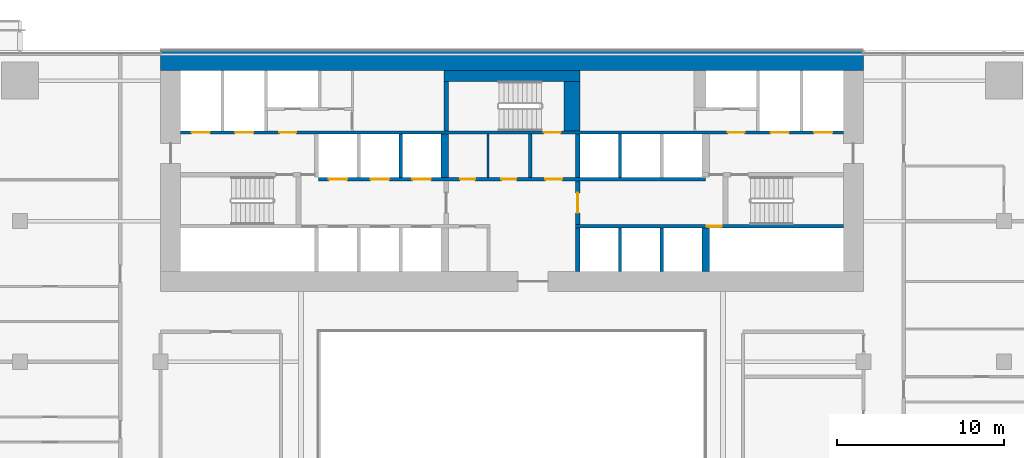
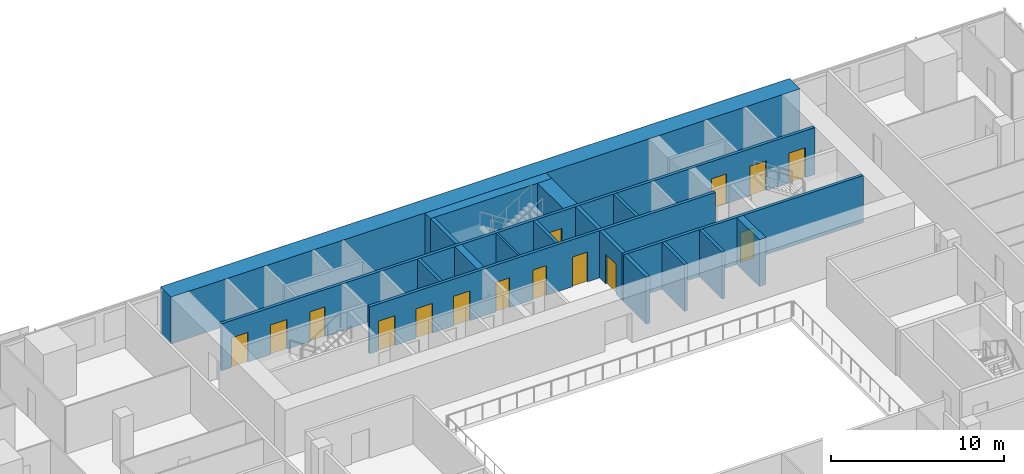
# One storey, part 22 of 30: 18 walls, 15 doors, 15 openings.
"""IFC4 building model written with IfcOpenShell, lengths in metres."""

from ifc_helpers import new_model, si_unit, direction, frame, frame_2d, origin, place, context, subcontext, project, spatial, rectangle, extrude, material, layer, layer_set, type_object, element, fill, save


model = new_model("IFC4")

# Units and contexts
model_context = context("Model", 3, precision=1e-05, world=origin(), true_north=direction((0.0, 1.0)))
body_context = subcontext(model_context, "Body", "Model", "MODEL_VIEW")
ifc_project = project(units=[si_unit("LENGTHUNIT", "METRE"), si_unit("AREAUNIT", "SQUARE_METRE"), si_unit("VOLUMEUNIT", "CUBIC_METRE"), si_unit("PLANEANGLEUNIT", "RADIAN"), si_unit("MASSUNIT", "GRAM", prefix="KILO")], contexts=[model_context])

# Site, building, storey
site_placement = place(None, origin())
site = spatial("IfcSite", under=ifc_project, at=site_placement, CompositionType="ELEMENT")
building_placement = place(site_placement, origin())
building = spatial("IfcBuilding", under=site, at=building_placement, Name="Saffron Gate Tower", CompositionType="ELEMENT")
storey_placement = place(building_placement, frame((0.0, 0.0, 69.60009765625)))
storey = spatial("IfcBuildingStorey", under=building, at=storey_placement, Name="L16", CompositionType="ELEMENT", Elevation=69.60009765625)

# Walls
ifc_material_1 = material(Name="Concrete C70", Category="concrete")
ifc_layer_1 = layer(ifc_material_1, 1.199951171875)
ifc_layer_set_1 = layer_set([ifc_layer_1], Name="CW1 RC core wall 1200 C70")
wall_type_1 = type_object("IfcWallType", Name="CW1 RC core wall 1200 C70", PredefinedType="SOLIDWALL", material=ifc_layer_set_1)
wall_1_placement = place(storey_placement, frame((66.60009765625, 75.0, 0.0), z_axis=(0.0, 0.0, 1.0), x_axis=(1.0, 0.0, 0.0)))
element("IfcWall", 1, at=wall_1_placement, inside=storey, type_object=wall_type_1, Name="Wall CW1-L16-2", PredefinedType="SOLIDWALL", context=body_context, shape_type="SweptSolid", body=[
    extrude(rectangle(XDim=42.0, YDim=1.199951171875, at=frame_2d((21.0, 0.0))), origin(), (0.0, 0.0, 1.0), 3.31982421875),
])
ifc_material_2 = material(Name="Gypsum board partition on steel studs", Category="steel")
ifc_layer_2 = layer(ifc_material_2, 0.199951171875)
ifc_layer_set_2 = layer_set([ifc_layer_2], Name="CW10 Core partition 200")
wall_type_2 = type_object("IfcWallType", Name="CW10 Core partition 200", PredefinedType="PARTITIONING", material=ifc_layer_set_2)
wall_2_placement = place(storey_placement, frame((88.699951171875, 68.0, 0.0), z_axis=(0.0, 0.0, 1.0), x_axis=(0.0, 1.0, 0.0)))
element("IfcWall", 2, at=wall_2_placement, inside=storey, type_object=wall_type_2, Name="Wall CW10-L16-25", PredefinedType="PARTITIONING", context=body_context, shape_type="SweptSolid", body=[
    extrude(rectangle(XDim=2.60009765625, YDim=0.199951171875, at=frame_2d((1.300048828125, 0.0))), origin(), (0.0, 0.0, 1.0), 3.31982421875),
])
ifc_layer_3 = layer(ifc_material_1, 0.25)
ifc_layer_set_3 = layer_set([ifc_layer_3], Name="CW2 RC core wall 250 C70")
wall_type_3 = type_object("IfcWallType", Name="CW2 RC core wall 250 C70", PredefinedType="SOLIDWALL", material=ifc_layer_set_3)
wall_3_placement = place(storey_placement, frame((91.52490234375, 62.39990234375, 0.0), z_axis=(0.0, 0.0, 1.0), x_axis=(0.0, 1.0, 0.0)))
element("IfcWall", 3, at=wall_3_placement, inside=storey, type_object=wall_type_3, Name="Wall CW2-L16-10", PredefinedType="SOLIDWALL", context=body_context, shape_type="SweptSolid", body=[
    extrude(rectangle(XDim=2.60009765625, YDim=0.25, at=frame_2d((1.300048828125, 0.0))), origin(), (0.0, 0.0, 1.0), 3.31982421875),
])

# Wall, opening, door
wall_4_placement = place(storey_placement, frame((91.52490234375, 65.199951171875, 0.0), z_axis=(0.0, 0.0, 1.0), x_axis=(0.0, 1.0, 0.0)))
wall_4 = element("IfcWall", 4, at=wall_4_placement, inside=storey, type_object=wall_type_3, Name="Wall CW2-L16-18", PredefinedType="SOLIDWALL", context=body_context, shape_type="SweptSolid", body=[
    extrude(rectangle(XDim=2.60009765625, YDim=0.25, at=frame_2d((1.300048828125, 0.0))), origin(), (0.0, 0.0, 1.0), 3.31982421875),
])
opening_1_placement = place(wall_4_placement, frame((0.699951171875, 0.0, 0.0)))
opening_1 = element("IfcOpeningElement", 5, at=opening_1_placement, cuts=wall_4, Name="Opening CR-01", PredefinedType="OPENING", context=body_context, shape_type="SweptSolid", body=[
    extrude(rectangle(XDim=1.199951171875, YDim=2.10009765625, at=frame_2d((0.60009765625, 1.050048828125))), frame((0.0, 0.135009765625, 0.0), z_axis=(0.0, -1.0, 0.0), x_axis=(1.0, 0.0, 0.0)), (0.0, 0.0, 1.0), 0.27001953125),
])
ifc_material_3 = material(Name="Steel fire door set", Category="steel")
door_type_1 = type_object("IfcDoorType", Name="CD3 Lobby door 1200x2100 EI 120", OperationType="NOTDEFINED", PredefinedType="DOOR", material=ifc_material_3)
door_1_placement = place(opening_1_placement, origin())
door_1 = element("IfcDoor", 6, at=door_1_placement, inside=storey, type_object=door_type_1, Name="DOOR CR-01", OperationType="SINGLE_SWING_RIGHT", OverallHeight=2.10009765625, OverallWidth=1.199951171875, PredefinedType="DOOR", context=body_context, shape_type="SweptSolid", body=[
    extrude(rectangle(XDim=1.199951171875, YDim=2.10009765625, at=frame_2d((0.60009765625, 1.050048828125))), frame((0.0, 0.02490234375, 0.0), z_axis=(0.0, -1.0, 0.0), x_axis=(1.0, 0.0, 0.0)), (0.0, 0.0, 1.0), 0.050048828125),
])
fill(opening_1, door_1)

# Walls
wall_5_placement = place(storey_placement, frame((91.52490234375, 68.0, 0.0), z_axis=(0.0, 0.0, 1.0), x_axis=(0.0, 1.0, 0.0)))
element("IfcWall", 7, at=wall_5_placement, inside=storey, type_object=wall_type_3, Name="Wall CW2-L16-26", PredefinedType="SOLIDWALL", context=body_context, shape_type="SweptSolid", body=[
    extrude(rectangle(XDim=2.60009765625, YDim=0.25, at=frame_2d((1.300048828125, 0.0))), origin(), (0.0, 0.0, 1.0), 3.31982421875),
])
wall_6_placement = place(storey_placement, frame((83.675048828125, 70.800048828125, 0.0), z_axis=(0.0, 0.0, 1.0), x_axis=(0.0, 1.0, 0.0)))
element("IfcWall", 8, at=wall_6_placement, inside=storey, type_object=wall_type_3, Name="Wall CW2-L16-38", PredefinedType="SOLIDWALL", context=body_context, shape_type="SweptSolid", body=[
    extrude(rectangle(XDim=2.949951171875, YDim=0.25, at=frame_2d((1.47509765625, 0.0))), origin(), (0.0, 0.0, 1.0), 3.31982421875),
])
ifc_layer_4 = layer(ifc_material_1, 0.199951171875)
ifc_layer_set_4 = layer_set([ifc_layer_4], Name="CW3 RC core wall 200 C70")
wall_type_4 = type_object("IfcWallType", Name="CW3 RC core wall 200 C70", PredefinedType="SOLIDWALL", material=ifc_layer_set_4)
for number, where, z_axis, x_axis, name in (
    (9, (94.050048828125, 62.39990234375, 0.0), (0.0, 0.0, 1.0), (0.0, 1.0, 0.0), "Wall CW3-L16-11"),
    (10, (96.550048828125, 62.39990234375, 0.0), (0.0, 0.0, 1.0), (0.0, 1.0, 0.0), "Wall CW3-L16-12"),
):
    element("IfcWall", number, at=place(storey_placement, frame(where, z_axis=z_axis, x_axis=x_axis)), inside=storey, type_object=wall_type_4, Name=name, PredefinedType="SOLIDWALL", context=body_context, shape_type="SweptSolid", body=[
        extrude(rectangle(XDim=2.60009765625, YDim=0.199951171875, at=frame_2d((1.300048828125, 0.0))), origin(), (0.0, 0.0, 1.0), 3.31982421875),
    ])

# Wall, opening, door
wall_7_placement = place(storey_placement, frame((91.39990234375, 65.10009765625, 0.0), z_axis=(0.0, 0.0, 1.0), x_axis=(1.0, 0.0, 0.0)))
wall_7 = element("IfcWall", 11, at=wall_7_placement, inside=storey, type_object=wall_type_4, Name="Wall CW3-L16-15", PredefinedType="SOLIDWALL", context=body_context, shape_type="SweptSolid", body=[
    extrude(rectangle(XDim=16.0, YDim=0.199951171875, at=frame_2d((8.0, 0.0))), origin(), (0.0, 0.0, 1.0), 3.31982421875),
])
opening_2_placement = place(wall_7_placement, frame((7.830078125, 0.0, 0.0)))
opening_2 = element("IfcOpeningElement", 12, at=opening_2_placement, cuts=wall_7, Name="Opening CR-48", PredefinedType="OPENING", context=body_context, shape_type="SweptSolid", body=[
    extrude(rectangle(XDim=0.89990234375, YDim=2.10009765625, at=frame_2d((0.449951171875, 1.050048828125))), frame((0.0, 0.10986328125, 0.0), z_axis=(0.0, -1.0, 0.0), x_axis=(1.0, 0.0, 0.0)), (0.0, 0.0, 1.0), 0.219970703125),
])
door_type_2 = type_object("IfcDoorType", Name="CD2 Riser door 900x2100 EI 60", OperationType="NOTDEFINED", PredefinedType="DOOR", material=ifc_material_3)
door_2_placement = place(opening_2_placement, origin())
door_2 = element("IfcDoor", 13, at=door_2_placement, inside=storey, type_object=door_type_2, Name="DOOR CR-48", OperationType="SINGLE_SWING_RIGHT", OverallHeight=2.10009765625, OverallWidth=0.89990234375, PredefinedType="DOOR", context=body_context, shape_type="SweptSolid", body=[
    extrude(rectangle(XDim=0.89990234375, YDim=2.10009765625, at=frame_2d((0.449951171875, 1.050048828125))), frame((0.0, 0.02490234375, 0.0), z_axis=(0.0, -1.0, 0.0), x_axis=(1.0, 0.0, 0.0)), (0.0, 0.0, 1.0), 0.050048828125),
])
fill(opening_2, door_2)

# Wall, openings, doors
wall_8_placement = place(storey_placement, frame((76.050048828125, 67.89990234375, 0.0), z_axis=(0.0, 0.0, 1.0), x_axis=(1.0, 0.0, 0.0)))
wall_8 = element("IfcWall", 14, at=wall_8_placement, inside=storey, type_object=wall_type_4, Name="Wall CW3-L16-20", PredefinedType="SOLIDWALL", context=body_context, shape_type="SweptSolid", body=[
    extrude(rectangle(XDim=23.099853515625, YDim=0.199951171875, at=frame_2d((11.5498046875, 0.0))), origin(), (0.0, 0.0, 1.0), 3.31982421875),
])
opening_3_placement = place(wall_8_placement, frame((0.60009765625, 0.0, 0.0)))
opening_3 = element("IfcOpeningElement", 15, at=opening_3_placement, cuts=wall_8, Name="Opening LD-LR4", PredefinedType="OPENING", context=body_context, shape_type="SweptSolid", body=[
    extrude(rectangle(XDim=1.10009765625, YDim=2.10009765625, at=frame_2d((0.550048828125, 1.050048828125))), frame((0.0, 0.10986328125, 0.0), z_axis=(0.0, -1.0, 0.0), x_axis=(1.0, 0.0, 0.0)), (0.0, 0.0, 1.0), 0.219970703125),
])
opening_4_placement = place(wall_8_placement, frame((3.10009765625, 0.0, 0.0)))
opening_4 = element("IfcOpeningElement", 16, at=opening_4_placement, cuts=wall_8, Name="Opening LD-LR5", PredefinedType="OPENING", context=body_context, shape_type="SweptSolid", body=[
    extrude(rectangle(XDim=1.10009765625, YDim=2.10009765625, at=frame_2d((0.550048828125, 1.050048828125))), frame((0.0, 0.10986328125, 0.0), z_axis=(0.0, -1.0, 0.0), x_axis=(1.0, 0.0, 0.0)), (0.0, 0.0, 1.0), 0.219970703125),
])
opening_5_placement = place(wall_8_placement, frame((5.60009765625, 0.0, 0.0)))
opening_5 = element("IfcOpeningElement", 17, at=opening_5_placement, cuts=wall_8, Name="Opening LD-LR6", PredefinedType="OPENING", context=body_context, shape_type="SweptSolid", body=[
    extrude(rectangle(XDim=1.10009765625, YDim=2.10009765625, at=frame_2d((0.550048828125, 1.050048828125))), frame((0.0, 0.10986328125, 0.0), z_axis=(0.0, -1.0, 0.0), x_axis=(1.0, 0.0, 0.0)), (0.0, 0.0, 1.0), 0.219970703125),
])
opening_6_placement = place(wall_8_placement, frame((8.449951171875, 0.0, 0.0)))
opening_6 = element("IfcOpeningElement", 18, at=opening_6_placement, cuts=wall_8, Name="Opening CR-67", PredefinedType="OPENING", context=body_context, shape_type="SweptSolid", body=[
    extrude(rectangle(XDim=0.89990234375, YDim=2.10009765625, at=frame_2d((0.449951171875, 1.050048828125))), frame((0.0, 0.10986328125, 0.0), z_axis=(0.0, -1.0, 0.0), x_axis=(1.0, 0.0, 0.0)), (0.0, 0.0, 1.0), 0.219970703125),
])
opening_7_placement = place(wall_8_placement, frame((10.909912109375, 0.0, 0.0)))
opening_7 = element("IfcOpeningElement", 19, at=opening_7_placement, cuts=wall_8, Name="Opening CR-68", PredefinedType="OPENING", context=body_context, shape_type="SweptSolid", body=[
    extrude(rectangle(XDim=0.89990234375, YDim=2.10009765625, at=frame_2d((0.449951171875, 1.050048828125))), frame((0.0, 0.10986328125, 0.0), z_axis=(0.0, -1.0, 0.0), x_axis=(1.0, 0.0, 0.0)), (0.0, 0.0, 1.0), 0.219970703125),
])
opening_8_placement = place(wall_8_placement, frame((13.550048828125, 0.0, 0.0)))
opening_8 = element("IfcOpeningElement", 20, at=opening_8_placement, cuts=wall_8, Name="Opening CR-02", PredefinedType="OPENING", context=body_context, shape_type="SweptSolid", body=[
    extrude(rectangle(XDim=1.0, YDim=2.10009765625, at=frame_2d((0.5, 1.050048828125))), frame((0.0, 0.10986328125, 0.0), z_axis=(0.0, -1.0, 0.0), x_axis=(1.0, 0.0, 0.0)), (0.0, 0.0, 1.0), 0.219970703125),
])
door_type_3 = type_object("IfcDoorType", Name="CD4 Lobby door 1000x2100 EI 120", OperationType="NOTDEFINED", PredefinedType="DOOR", material=ifc_material_3)
door_3_placement = place(opening_8_placement, origin())
door_3 = element("IfcDoor", 21, at=door_3_placement, inside=storey, type_object=door_type_3, Name="DOOR CR-02", OperationType="SINGLE_SWING_LEFT", OverallHeight=2.10009765625, OverallWidth=1.0, PredefinedType="DOOR", context=body_context, shape_type="SweptSolid", body=[
    extrude(rectangle(XDim=1.0, YDim=2.10009765625, at=frame_2d((0.5, 1.050048828125))), frame((0.0, 0.02490234375, 0.0), z_axis=(0.0, -1.0, 0.0), x_axis=(1.0, 0.0, 0.0)), (0.0, 0.0, 1.0), 0.050048828125),
])
fill(opening_8, door_3)
door_type_4 = type_object("IfcDoorType", Name="CD9 Room door 900x2100 EI 60", OperationType="NOTDEFINED", PredefinedType="DOOR", material=ifc_material_3)
door_4_placement = place(opening_6_placement, origin())
door_4 = element("IfcDoor", 22, at=door_4_placement, inside=storey, type_object=door_type_4, Name="DOOR CR-67", OperationType="SINGLE_SWING_LEFT", OverallHeight=2.10009765625, OverallWidth=0.89990234375, PredefinedType="DOOR", context=body_context, shape_type="SweptSolid", body=[
    extrude(rectangle(XDim=0.89990234375, YDim=2.10009765625, at=frame_2d((0.449951171875, 1.050048828125))), frame((0.0, 0.02490234375, 0.0), z_axis=(0.0, -1.0, 0.0), x_axis=(1.0, 0.0, 0.0)), (0.0, 0.0, 1.0), 0.050048828125),
])
fill(opening_6, door_4)
door_5_placement = place(opening_7_placement, origin())
door_5 = element("IfcDoor", 23, at=door_5_placement, inside=storey, type_object=door_type_4, Name="DOOR CR-68", OperationType="SINGLE_SWING_LEFT", OverallHeight=2.10009765625, OverallWidth=0.89990234375, PredefinedType="DOOR", context=body_context, shape_type="SweptSolid", body=[
    extrude(rectangle(XDim=0.89990234375, YDim=2.10009765625, at=frame_2d((0.449951171875, 1.050048828125))), frame((0.0, 0.02490234375, 0.0), z_axis=(0.0, -1.0, 0.0), x_axis=(1.0, 0.0, 0.0)), (0.0, 0.0, 1.0), 0.050048828125),
])
fill(opening_7, door_5)
ifc_material_4 = material(Name="Stainless steel landing door", Category="steel")
door_type_5 = type_object("IfcDoorType", Name="LD Lift landing door 1100x2100 EI 120", OperationType="SLIDING_TO_LEFT", PredefinedType="DOOR", material=ifc_material_4)
door_6_placement = place(opening_3_placement, origin())
door_6 = element("IfcDoor", 24, at=door_6_placement, inside=storey, type_object=door_type_5, Name="LANDING DOOR LD-LR4", OperationType="SLIDING_TO_RIGHT", OverallHeight=2.10009765625, OverallWidth=1.10009765625, PredefinedType="DOOR", context=body_context, shape_type="SweptSolid", body=[
    extrude(rectangle(XDim=1.10009765625, YDim=2.10009765625, at=frame_2d((0.550048828125, 1.050048828125))), frame((0.0, 0.02490234375, 0.0), z_axis=(0.0, -1.0, 0.0), x_axis=(1.0, 0.0, 0.0)), (0.0, 0.0, 1.0), 0.050048828125),
])
fill(opening_3, door_6)
door_7_placement = place(opening_4_placement, origin())
door_7 = element("IfcDoor", 25, at=door_7_placement, inside=storey, type_object=door_type_5, Name="LANDING DOOR LD-LR5", OperationType="SLIDING_TO_RIGHT", OverallHeight=2.10009765625, OverallWidth=1.10009765625, PredefinedType="DOOR", context=body_context, shape_type="SweptSolid", body=[
    extrude(rectangle(XDim=1.10009765625, YDim=2.10009765625, at=frame_2d((0.550048828125, 1.050048828125))), frame((0.0, 0.02490234375, 0.0), z_axis=(0.0, -1.0, 0.0), x_axis=(1.0, 0.0, 0.0)), (0.0, 0.0, 1.0), 0.050048828125),
])
fill(opening_4, door_7)
door_8_placement = place(opening_5_placement, origin())
door_8 = element("IfcDoor", 26, at=door_8_placement, inside=storey, type_object=door_type_5, Name="LANDING DOOR LD-LR6", OperationType="SLIDING_TO_RIGHT", OverallHeight=2.10009765625, OverallWidth=1.10009765625, PredefinedType="DOOR", context=body_context, shape_type="SweptSolid", body=[
    extrude(rectangle(XDim=1.10009765625, YDim=2.10009765625, at=frame_2d((0.550048828125, 1.050048828125))), frame((0.0, 0.02490234375, 0.0), z_axis=(0.0, -1.0, 0.0), x_axis=(1.0, 0.0, 0.0)), (0.0, 0.0, 1.0), 0.050048828125),
])
fill(opening_5, door_8)

# Walls
for number, where, z_axis, x_axis, name in (
    (27, (80.949951171875, 68.0, 0.0), (0.0, 0.0, 1.0), (0.0, 1.0, 0.0), "Wall CW3-L16-22"),
    (28, (94.050048828125, 68.0, 0.0), (0.0, 0.0, 1.0), (0.0, 1.0, 0.0), "Wall CW3-L16-27"),
):
    element("IfcWall", number, at=place(storey_placement, frame(where, z_axis=z_axis, x_axis=x_axis)), inside=storey, type_object=wall_type_4, Name=name, PredefinedType="SOLIDWALL", context=body_context, shape_type="SweptSolid", body=[
        extrude(rectangle(XDim=2.60009765625, YDim=0.199951171875, at=frame_2d((1.300048828125, 0.0))), origin(), (0.0, 0.0, 1.0), 3.31982421875),
    ])

# Wall, openings, doors
wall_9_placement = place(storey_placement, frame((67.800048828125, 70.699951171875, 0.0), z_axis=(0.0, 0.0, 1.0), x_axis=(1.0, 0.0, 0.0)))
wall_9 = element("IfcWall", 29, at=wall_9_placement, inside=storey, type_object=wall_type_4, Name="Wall CW3-L16-34", PredefinedType="SOLIDWALL", context=body_context, shape_type="SweptSolid", body=[
    extrude(rectangle(XDim=39.599853515625, YDim=0.199951171875, at=frame_2d((19.7998046875, 0.0))), origin(), (0.0, 0.0, 1.0), 3.31982421875),
])
opening_9_placement = place(wall_9_placement, frame((0.64990234375, 0.0, 0.0)))
opening_9 = element("IfcOpeningElement", 30, at=opening_9_placement, cuts=wall_9, Name="Opening LD-FF1", PredefinedType="OPENING", context=body_context, shape_type="SweptSolid", body=[
    extrude(rectangle(XDim=1.10009765625, YDim=2.10009765625, at=frame_2d((0.550048828125, 1.050048828125))), frame((0.0, 0.10986328125, 0.0), z_axis=(0.0, -1.0, 0.0), x_axis=(1.0, 0.0, 0.0)), (0.0, 0.0, 1.0), 0.219970703125),
])
opening_10_placement = place(wall_9_placement, frame((3.25, 0.0, 0.0)))
opening_10 = element("IfcOpeningElement", 31, at=opening_10_placement, cuts=wall_9, Name="Opening LD-SV1", PredefinedType="OPENING", context=body_context, shape_type="SweptSolid", body=[
    extrude(rectangle(XDim=1.10009765625, YDim=2.10009765625, at=frame_2d((0.550048828125, 1.050048828125))), frame((0.0, 0.10986328125, 0.0), z_axis=(0.0, -1.0, 0.0), x_axis=(1.0, 0.0, 0.0)), (0.0, 0.0, 1.0), 0.219970703125),
])
opening_11_placement = place(wall_9_placement, frame((5.89990234375, 0.0, 0.0)))
opening_11 = element("IfcOpeningElement", 32, at=opening_11_placement, cuts=wall_9, Name="Opening CR-03", PredefinedType="OPENING", context=body_context, shape_type="SweptSolid", body=[
    extrude(rectangle(XDim=1.0, YDim=2.10009765625, at=frame_2d((0.5, 1.050048828125))), frame((0.0, 0.10986328125, 0.0), z_axis=(0.0, -1.0, 0.0), x_axis=(1.0, 0.0, 0.0)), (0.0, 0.0, 1.0), 0.219970703125),
])
opening_12_placement = place(wall_9_placement, frame((21.699951171875, 0.0, 0.0)))
opening_12 = element("IfcOpeningElement", 33, at=opening_12_placement, cuts=wall_9, Name="Opening CR-17", PredefinedType="OPENING", context=body_context, shape_type="SweptSolid", body=[
    extrude(rectangle(XDim=1.0, YDim=2.10009765625, at=frame_2d((0.5, 1.050048828125))), frame((0.0, 0.10986328125, 0.0), z_axis=(0.0, -1.0, 0.0), x_axis=(1.0, 0.0, 0.0)), (0.0, 0.0, 1.0), 0.219970703125),
])
opening_13_placement = place(wall_9_placement, frame((32.699951171875, 0.0, 0.0)))
opening_13 = element("IfcOpeningElement", 34, at=opening_13_placement, cuts=wall_9, Name="Opening CR-04", PredefinedType="OPENING", context=body_context, shape_type="SweptSolid", body=[
    extrude(rectangle(XDim=1.0, YDim=2.10009765625, at=frame_2d((0.5, 1.050048828125))), frame((0.0, 0.10986328125, 0.0), z_axis=(0.0, -1.0, 0.0), x_axis=(1.0, 0.0, 0.0)), (0.0, 0.0, 1.0), 0.219970703125),
])
opening_14_placement = place(wall_9_placement, frame((35.25, 0.0, 0.0)))
opening_14 = element("IfcOpeningElement", 35, at=opening_14_placement, cuts=wall_9, Name="Opening LD-SV2", PredefinedType="OPENING", context=body_context, shape_type="SweptSolid", body=[
    extrude(rectangle(XDim=1.10009765625, YDim=2.10009765625, at=frame_2d((0.550048828125, 1.050048828125))), frame((0.0, 0.10986328125, 0.0), z_axis=(0.0, -1.0, 0.0), x_axis=(1.0, 0.0, 0.0)), (0.0, 0.0, 1.0), 0.219970703125),
])
opening_15_placement = place(wall_9_placement, frame((37.85009765625, 0.0, 0.0)))
opening_15 = element("IfcOpeningElement", 36, at=opening_15_placement, cuts=wall_9, Name="Opening LD-FF2", PredefinedType="OPENING", context=body_context, shape_type="SweptSolid", body=[
    extrude(rectangle(XDim=1.10009765625, YDim=2.10009765625, at=frame_2d((0.550048828125, 1.050048828125))), frame((0.0, 0.10986328125, 0.0), z_axis=(0.0, -1.0, 0.0), x_axis=(1.0, 0.0, 0.0)), (0.0, 0.0, 1.0), 0.219970703125),
])
door_9_placement = place(opening_11_placement, origin())
door_9 = element("IfcDoor", 37, at=door_9_placement, inside=storey, type_object=door_type_3, Name="DOOR CR-03", OperationType="SINGLE_SWING_LEFT", OverallHeight=2.10009765625, OverallWidth=1.0, PredefinedType="DOOR", context=body_context, shape_type="SweptSolid", body=[
    extrude(rectangle(XDim=1.0, YDim=2.10009765625, at=frame_2d((0.5, 1.050048828125))), frame((0.0, 0.02490234375, 0.0), z_axis=(0.0, -1.0, 0.0), x_axis=(1.0, 0.0, 0.0)), (0.0, 0.0, 1.0), 0.050048828125),
])
fill(opening_11, door_9)
door_10_placement = place(opening_13_placement, origin())
door_10 = element("IfcDoor", 38, at=door_10_placement, inside=storey, type_object=door_type_3, Name="DOOR CR-04", OperationType="SINGLE_SWING_RIGHT", OverallHeight=2.10009765625, OverallWidth=1.0, PredefinedType="DOOR", context=body_context, shape_type="SweptSolid", body=[
    extrude(rectangle(XDim=1.0, YDim=2.10009765625, at=frame_2d((0.5, 1.050048828125))), frame((0.0, 0.02490234375, 0.0), z_axis=(0.0, -1.0, 0.0), x_axis=(1.0, 0.0, 0.0)), (0.0, 0.0, 1.0), 0.050048828125),
])
fill(opening_13, door_10)
door_type_6 = type_object("IfcDoorType", Name="CD5 Stair door 1000x2100 EI 120", OperationType="NOTDEFINED", PredefinedType="DOOR", material=ifc_material_3)
door_11_placement = place(opening_12_placement, origin())
door_11 = element("IfcDoor", 39, at=door_11_placement, inside=storey, type_object=door_type_6, Name="DOOR CR-17", OperationType="SINGLE_SWING_RIGHT", OverallHeight=2.10009765625, OverallWidth=1.0, PredefinedType="DOOR", context=body_context, shape_type="SweptSolid", body=[
    extrude(rectangle(XDim=1.0, YDim=2.10009765625, at=frame_2d((0.5, 1.050048828125))), frame((0.0, 0.02490234375, 0.0), z_axis=(0.0, -1.0, 0.0), x_axis=(1.0, 0.0, 0.0)), (0.0, 0.0, 1.0), 0.050048828125),
])
fill(opening_12, door_11)
door_12_placement = place(opening_9_placement, origin())
door_12 = element("IfcDoor", 40, at=door_12_placement, inside=storey, type_object=door_type_5, Name="LANDING DOOR LD-FF1", OperationType="SLIDING_TO_RIGHT", OverallHeight=2.10009765625, OverallWidth=1.10009765625, PredefinedType="DOOR", context=body_context, shape_type="SweptSolid", body=[
    extrude(rectangle(XDim=1.10009765625, YDim=2.10009765625, at=frame_2d((0.550048828125, 1.050048828125))), frame((0.0, 0.02490234375, 0.0), z_axis=(0.0, -1.0, 0.0), x_axis=(1.0, 0.0, 0.0)), (0.0, 0.0, 1.0), 0.050048828125),
])
fill(opening_9, door_12)
door_13_placement = place(opening_10_placement, origin())
door_13 = element("IfcDoor", 41, at=door_13_placement, inside=storey, type_object=door_type_5, Name="LANDING DOOR LD-SV1", OperationType="SLIDING_TO_RIGHT", OverallHeight=2.10009765625, OverallWidth=1.10009765625, PredefinedType="DOOR", context=body_context, shape_type="SweptSolid", body=[
    extrude(rectangle(XDim=1.10009765625, YDim=2.10009765625, at=frame_2d((0.550048828125, 1.050048828125))), frame((0.0, 0.02490234375, 0.0), z_axis=(0.0, -1.0, 0.0), x_axis=(1.0, 0.0, 0.0)), (0.0, 0.0, 1.0), 0.050048828125),
])
fill(opening_10, door_13)
door_14_placement = place(opening_14_placement, origin())
door_14 = element("IfcDoor", 42, at=door_14_placement, inside=storey, type_object=door_type_5, Name="LANDING DOOR LD-SV2", OperationType="SLIDING_TO_RIGHT", OverallHeight=2.10009765625, OverallWidth=1.10009765625, PredefinedType="DOOR", context=body_context, shape_type="SweptSolid", body=[
    extrude(rectangle(XDim=1.10009765625, YDim=2.10009765625, at=frame_2d((0.550048828125, 1.050048828125))), frame((0.0, 0.02490234375, 0.0), z_axis=(0.0, -1.0, 0.0), x_axis=(1.0, 0.0, 0.0)), (0.0, 0.0, 1.0), 0.050048828125),
])
fill(opening_14, door_14)
door_15_placement = place(opening_15_placement, origin())
door_15 = element("IfcDoor", 43, at=door_15_placement, inside=storey, type_object=door_type_5, Name="LANDING DOOR LD-FF2", OperationType="SLIDING_TO_RIGHT", OverallHeight=2.10009765625, OverallWidth=1.10009765625, PredefinedType="DOOR", context=body_context, shape_type="SweptSolid", body=[
    extrude(rectangle(XDim=1.10009765625, YDim=2.10009765625, at=frame_2d((0.550048828125, 1.050048828125))), frame((0.0, 0.02490234375, 0.0), z_axis=(0.0, -1.0, 0.0), x_axis=(1.0, 0.0, 0.0)), (0.0, 0.0, 1.0), 0.050048828125),
])
fill(opening_15, door_15)

# Walls
ifc_layer_5 = layer(ifc_material_1, 0.449951171875)
ifc_layer_set_5 = layer_set([ifc_layer_5], Name="CW4 RC core wall 450 C70")
wall_type_5 = type_object("IfcWallType", Name="CW4 RC core wall 450 C70", PredefinedType="SOLIDWALL", material=ifc_layer_set_5)
for number, where, z_axis, x_axis, name in (
    (44, (99.175048828125, 62.39990234375, 0.0), (0.0, 0.0, 1.0), (0.0, 1.0, 0.0), "Wall CW4-L16-13"),
    (45, (83.574951171875, 68.0, 0.0), (0.0, 0.0, 1.0), (0.0, 1.0, 0.0), "Wall CW4-L16-23"),
):
    element("IfcWall", number, at=place(storey_placement, frame(where, z_axis=z_axis, x_axis=x_axis)), inside=storey, type_object=wall_type_5, Name=name, PredefinedType="SOLIDWALL", context=body_context, shape_type="SweptSolid", body=[
        extrude(rectangle(XDim=2.60009765625, YDim=0.449951171875, at=frame_2d((1.300048828125, 0.0))), origin(), (0.0, 0.0, 1.0), 3.31982421875),
    ])
ifc_layer_6 = layer(ifc_material_1, 0.949951171875)
ifc_layer_set_6 = layer_set([ifc_layer_6], Name="CW7 RC core wall 950 C70")
wall_type_6 = type_object("IfcWallType", Name="CW7 RC core wall 950 C70", PredefinedType="SOLIDWALL", material=ifc_layer_set_6)
wall_10_placement = place(storey_placement, frame((91.175048828125, 70.800048828125, 0.0), z_axis=(0.0, 0.0, 1.0), x_axis=(0.0, 1.0, 0.0)))
element("IfcWall", 46, at=wall_10_placement, inside=storey, type_object=wall_type_6, Name="Wall CW7-L16-39", PredefinedType="SOLIDWALL", context=body_context, shape_type="SweptSolid", body=[
    extrude(rectangle(XDim=2.949951171875, YDim=0.949951171875, at=frame_2d((1.47509765625, 0.0))), origin(), (0.0, 0.0, 1.0), 3.31982421875),
])
ifc_layer_7 = layer(ifc_material_2, 0.1201171875)
ifc_layer_set_7 = layer_set([ifc_layer_7], Name="CW8 Core partition 120")
wall_type_7 = type_object("IfcWallType", Name="CW8 Core partition 120", PredefinedType="PARTITIONING", material=ifc_layer_set_7)
wall_11_placement = place(storey_placement, frame((86.159912109375, 68.0, 0.0), z_axis=(0.0, 0.0, 1.0), x_axis=(0.0, 1.0, 0.0)))
element("IfcWall", 47, at=wall_11_placement, inside=storey, type_object=wall_type_7, Name="Wall CW8-L16-24", PredefinedType="PARTITIONING", context=body_context, shape_type="SweptSolid", body=[
    extrude(rectangle(XDim=2.60009765625, YDim=0.1201171875, at=frame_2d((1.300048828125, 0.0))), origin(), (0.0, 0.0, 1.0), 3.31982421875),
])
ifc_layer_8 = layer(ifc_material_1, 0.64990234375)
ifc_layer_set_8 = layer_set([ifc_layer_8], Name="CW9 RC core wall 650 C70")
wall_type_8 = type_object("IfcWallType", Name="CW9 RC core wall 650 C70", PredefinedType="SOLIDWALL", material=ifc_layer_set_8)
wall_12_placement = place(storey_placement, frame((83.550048828125, 74.074951171875, 0.0), z_axis=(0.0, 0.0, 1.0), x_axis=(1.0, 0.0, 0.0)))
element("IfcWall", 48, at=wall_12_placement, inside=storey, type_object=wall_type_8, Name="Wall CW9-L16-50", PredefinedType="SOLIDWALL", context=body_context, shape_type="SweptSolid", body=[
    extrude(rectangle(XDim=8.099853515625, YDim=0.64990234375, at=frame_2d((4.0498046875, 0.0))), origin(), (0.0, 0.0, 1.0), 3.31982421875),
])

save(model, "model.ifc")
